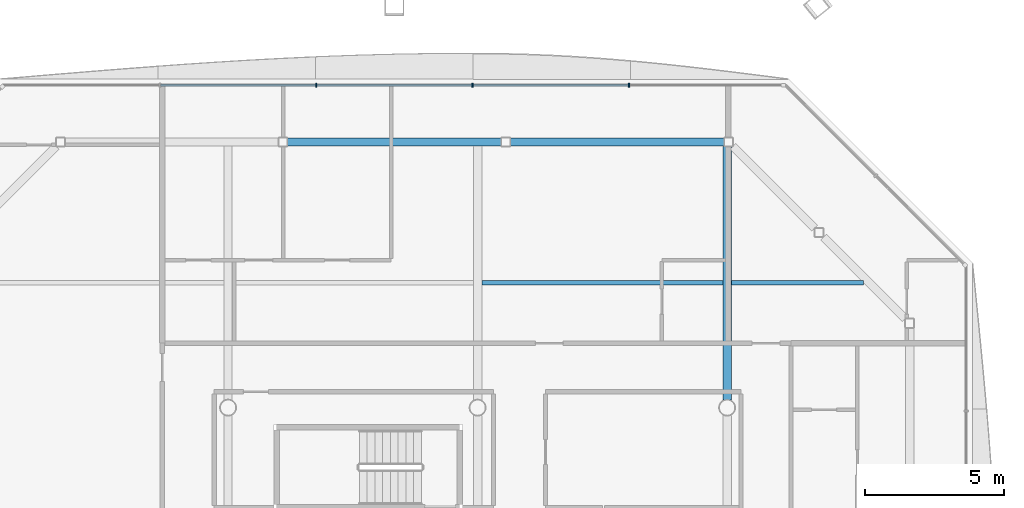
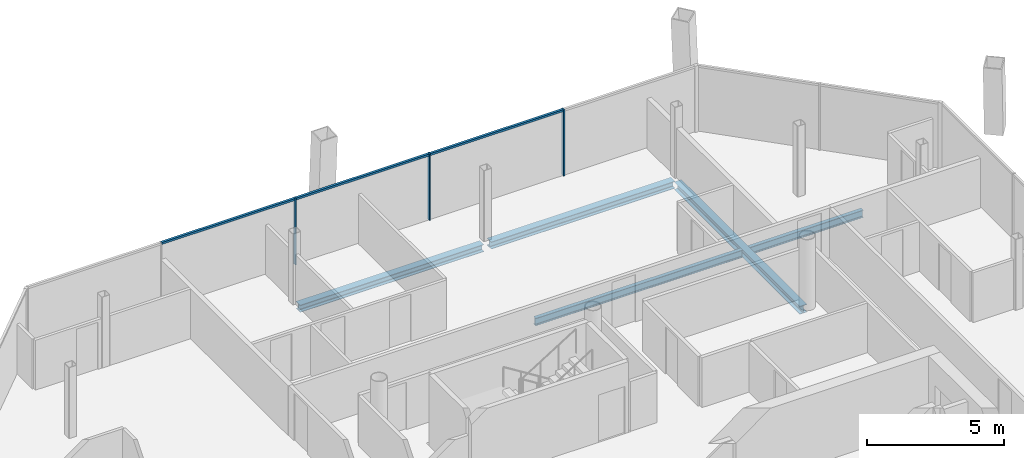
# One storey, part 11 of 20: 6 members, 5 beams, 1 element without a shape of its own.
"""IFC4 building model written with IfcOpenShell, lengths in metres."""

from ifc_helpers import new_model, si_unit, direction, frame, origin, origin_2d, place, context, subcontext, project, spatial, rectangle, i_section, extrude, material, material_profile, profile_set, type_object, element, aggregate, save


model = new_model("IFC4")

# Units and contexts
model_context = context("Model", 3, precision=1e-05, world=origin(), true_north=direction((0.0, 1.0)))
body_context = subcontext(model_context, "Body", "Model", "MODEL_VIEW")
ifc_project = project(units=[si_unit("LENGTHUNIT", "METRE"), si_unit("AREAUNIT", "SQUARE_METRE"), si_unit("VOLUMEUNIT", "CUBIC_METRE"), si_unit("PLANEANGLEUNIT", "RADIAN"), si_unit("MASSUNIT", "GRAM", prefix="KILO")], contexts=[model_context])

# Site, building, storey
site_placement = place(None, origin())
site = spatial("IfcSite", under=ifc_project, at=site_placement, CompositionType="ELEMENT")
building_placement = place(site_placement, origin())
building = spatial("IfcBuilding", under=site, at=building_placement, Name="Tskaro Facet Tower", CompositionType="ELEMENT")
storey_placement = place(building_placement, frame((0.0, 0.0, 184.800048828125)))
storey = spatial("IfcBuildingStorey", under=building, at=storey_placement, Name="L46", CompositionType="ELEMENT", Elevation=184.800048828125)

# Curtain wall, members
ifc_material_1 = material(Name="Bronze anodised aluminium 6063-T6", Category="aluminium")
curtain_wall_type = type_object("IfcCurtainWallType", Name="Bronze residence curtain wall (FW3)", PredefinedType="NOTDEFINED", material=ifc_material_1)
curtain_wall_placement = place(storey_placement, origin())
curtain_wall = element("IfcCurtainWall", 1, at=curtain_wall_placement, inside=storey, type_object=curtain_wall_type, Name="FW3 north facet L46", PredefinedType="NOTDEFINED")
ifc_material_profile_1 = material_profile(ifc_material_1, rectangle(XDim=0.050048828125, YDim=0.139892578125, at=origin_2d()), Name="Mullion 50x140")
ifc_profile_set_1 = profile_set([ifc_material_profile_1], Name="Bronze anodised aluminium 6063-T6")
member_type_1 = type_object("IfcMemberType", Name="FW3 bronze mullion 50x140", PredefinedType="MULLION", material=ifc_profile_set_1)
member_1_placement = place(storey_placement, frame((5.4599609375, 20.6279296875, 0.0), z_axis=(0.0, 0.0, 1.0), x_axis=(-1.0, 0.0, 0.0)))
member_1 = element("IfcMember", 2, at=member_1_placement, type_object=member_type_1, Name="FW3 north mullion 1", PredefinedType="MULLION", context=body_context, shape_type="SweptSolid", body=[
    extrude(rectangle(XDim=0.050048828125, YDim=0.139892578125, at=origin_2d()), origin(), (0.0, 0.0, 1.0), 2.949951171875),
])
member_2_placement = place(storey_placement, frame((-0.179931640625, 20.6279296875, 0.0), z_axis=(0.0, 0.0, 1.0), x_axis=(-1.0, 0.0, 0.0)))
member_2 = element("IfcMember", 3, at=member_2_placement, type_object=member_type_1, Name="FW3 north mullion 2", PredefinedType="MULLION", context=body_context, shape_type="SweptSolid", body=[
    extrude(rectangle(XDim=0.050048828125, YDim=0.139892578125, at=origin_2d()), origin(), (0.0, 0.0, 1.0), 2.949951171875),
])
member_3_placement = place(storey_placement, frame((-5.820068359375, 20.6279296875, 0.0), z_axis=(0.0, 0.0, 1.0), x_axis=(-1.0, 0.0, 0.0)))
member_3 = element("IfcMember", 4, at=member_3_placement, type_object=member_type_1, Name="FW3 north mullion 3", PredefinedType="MULLION", context=body_context, shape_type="SweptSolid", body=[
    extrude(rectangle(XDim=0.050048828125, YDim=0.139892578125, at=origin_2d()), origin(), (0.0, 0.0, 1.0), 2.949951171875),
])
ifc_material_profile_2 = material_profile(ifc_material_1, rectangle(XDim=0.10009765625, YDim=0.090087890625, at=origin_2d()), Name="Transom 100x90")
ifc_profile_set_2 = profile_set([ifc_material_profile_2], Name="Bronze anodised aluminium 6063-T6")
member_type_2 = type_object("IfcMemberType", Name="FW3 bronze transom 100x90", PredefinedType="USERDEFINED", material=ifc_profile_set_2)
member_4_placement = place(storey_placement, frame((5.43505859375, 20.6279296875, 2.905029296875), z_axis=(-1.0, 0.0, 0.0), x_axis=(0.0, -1.0, 0.0)))
member_4 = element("IfcMember", 5, at=member_4_placement, type_object=member_type_2, Name="FW3 north transom 2.1", ObjectType="TRANSOM", PredefinedType="USERDEFINED", context=body_context, shape_type="SweptSolid", body=[
    extrude(rectangle(XDim=0.10009765625, YDim=0.090087890625, at=origin_2d()), origin(), (0.0, 0.0, 1.0), 5.590087890625),
])
member_5_placement = place(storey_placement, frame((-0.205078125, 20.6279296875, 2.905029296875), z_axis=(-1.0, 0.0, 0.0), x_axis=(0.0, -1.0, 0.0)))
member_5 = element("IfcMember", 6, at=member_5_placement, type_object=member_type_2, Name="FW3 north transom 3.1", ObjectType="TRANSOM", PredefinedType="USERDEFINED", context=body_context, shape_type="SweptSolid", body=[
    extrude(rectangle(XDim=0.10009765625, YDim=0.090087890625, at=origin_2d()), origin(), (0.0, 0.0, 1.0), 5.58984375),
])
member_6_placement = place(storey_placement, frame((-5.844970703125, 20.6279296875, 2.905029296875), z_axis=(-1.0, 0.0, 0.0), x_axis=(0.0, -1.0, 0.0)))
member_6 = element("IfcMember", 7, at=member_6_placement, type_object=member_type_2, Name="FW3 north transom 4.1", ObjectType="TRANSOM", PredefinedType="USERDEFINED", context=body_context, shape_type="SweptSolid", body=[
    extrude(rectangle(XDim=0.10009765625, YDim=0.090087890625, at=origin_2d()), origin(), (0.0, 0.0, 1.0), 5.590087890625),
])
aggregate(curtain_wall, [member_1, member_2, member_3, member_4, member_5, member_6])

# Beams
ifc_material_2 = material(Name="Steel S355J2", Category="steel")
ifc_material_profile_3 = material_profile(ifc_material_2, i_section(OverallWidth=0.300048828125, OverallDepth=0.320068359375, WebThickness=0.011474609375, FlangeThickness=0.0205078125, FilletRadius=0.027099609375, at=origin_2d()), Name="HE 320 B")
ifc_profile_set_3 = profile_set([ifc_material_profile_3], Name="Steel S355J2")
beam_type_1 = type_object("IfcBeamType", Name="HE 320 B ring beam", PredefinedType="BEAM", material=ifc_profile_set_3)
beam_1_placement = place(storey_placement, frame((8.89111328125, 18.5830078125, -0.300048828125), z_axis=(-1.0, 0.0, 0.0), x_axis=(0.0, -1.0, 0.0)))
element("IfcBeam", 8, at=beam_1_placement, inside=storey, type_object=beam_type_1, Name="HE 320 B EB12-4", PredefinedType="BEAM", context=body_context, shape_type="SweptSolid", body=[
    extrude(i_section(OverallWidth=0.300048828125, OverallDepth=0.320068359375, WebThickness=0.011474609375, FlangeThickness=0.0205078125, FilletRadius=0.027099609375, at=origin_2d()), origin(), (0.0, 0.0, 1.0), 7.72119140625),
])
beam_2_placement = place(storey_placement, frame((0.860107421875, 18.5830078125, -0.300048828125), z_axis=(-1.0, 0.0, 0.0), x_axis=(0.0, -1.0, 0.0)))
element("IfcBeam", 9, at=beam_2_placement, inside=storey, type_object=beam_type_1, Name="HE 320 B EB13-4", PredefinedType="BEAM", context=body_context, shape_type="SweptSolid", body=[
    extrude(i_section(OverallWidth=0.300048828125, OverallDepth=0.320068359375, WebThickness=0.011474609375, FlangeThickness=0.0205078125, FilletRadius=0.027099609375, at=origin_2d()), origin(), (0.0, 0.0, 1.0), 7.72021484375),
])
ifc_material_profile_4 = material_profile(ifc_material_2, i_section(OverallWidth=0.300048828125, OverallDepth=0.35009765625, WebThickness=0.010009765625, FlangeThickness=0.017578125, FilletRadius=0.027099609375, at=origin_2d()), Name="HE 360 A")
ifc_profile_set_4 = profile_set([ifc_material_profile_4], Name="Steel S355J2")
beam_type_2 = type_object("IfcBeamType", Name="HE 360 A girder", PredefinedType="BEAM", material=ifc_profile_set_4)
beam_3_placement = place(storey_placement, frame((9.0, 9.27490234375, -0.31494140625), z_axis=(0.0, 1.0, 0.0), x_axis=(-1.0, 0.0, 0.0)))
element("IfcBeam", 10, at=beam_3_placement, inside=storey, type_object=beam_type_2, Name="HE 360 A GB5-3-4", PredefinedType="BEAM", context=body_context, shape_type="SweptSolid", body=[
    extrude(i_section(OverallWidth=0.300048828125, OverallDepth=0.35009765625, WebThickness=0.010009765625, FlangeThickness=0.017578125, FilletRadius=0.027099609375, at=origin_2d()), origin(), (0.0, 0.0, 1.0), 9.14208984375),
])
ifc_material_profile_5 = material_profile(ifc_material_2, i_section(OverallWidth=0.159912109375, OverallDepth=0.330078125, WebThickness=0.007568359375, FlangeThickness=0.011474609375, FilletRadius=0.01806640625, at=origin_2d()), Name="IPE 330")
ifc_profile_set_5 = profile_set([ifc_material_profile_5], Name="Steel S355J2")
beam_type_3 = type_object("IfcBeamType", Name="IPE 330 secondary beam", PredefinedType="BEAM", material=ifc_profile_set_5)
beam_4_placement = place(storey_placement, frame((0.14990234375, 13.5, -0.304931640625), z_axis=(1.0, 0.0, 0.0), x_axis=(0.0, 1.0, 0.0)))
element("IfcBeam", 11, at=beam_4_placement, inside=storey, type_object=beam_type_3, Name="IPE 330 SB5a-4-4", PredefinedType="BEAM", context=body_context, shape_type="SweptSolid", body=[
    extrude(i_section(OverallWidth=0.159912109375, OverallDepth=0.330078125, WebThickness=0.007568359375, FlangeThickness=0.011474609375, FilletRadius=0.01806640625, at=origin_2d()), origin(), (0.0, 0.0, 1.0), 8.7001953125),
])
beam_5_placement = place(storey_placement, frame((9.14990234375, 13.5, -0.304931640625), z_axis=(1.0, 0.0, 0.0), x_axis=(0.0, 1.0, 0.0)))
element("IfcBeam", 12, at=beam_5_placement, inside=storey, type_object=beam_type_3, Name="IPE 330 SB5a-5-4", PredefinedType="BEAM", context=body_context, shape_type="SweptSolid", body=[
    extrude(i_section(OverallWidth=0.159912109375, OverallDepth=0.330078125, WebThickness=0.007568359375, FlangeThickness=0.011474609375, FilletRadius=0.01806640625, at=origin_2d()), origin(), (0.0, 0.0, 1.0), 4.76708984375),
])

save(model, "model.ifc")
